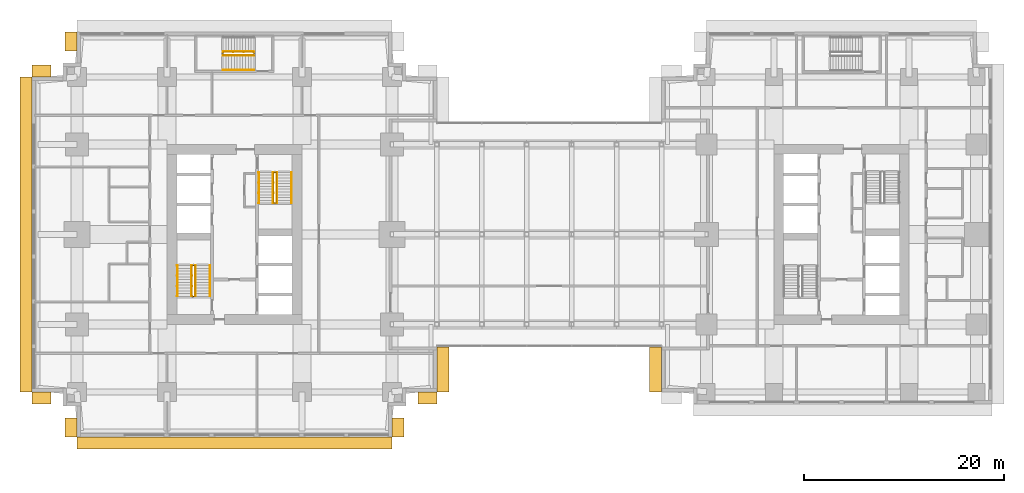
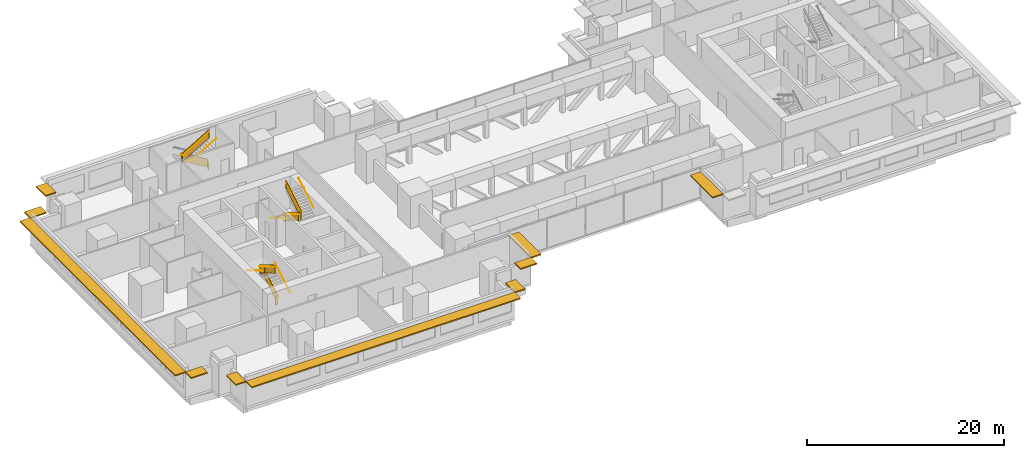
# One storey, part 13 of 15: 14 railings, 10 shading devices.
"""IFC4 building model written with IfcOpenShell, lengths in metres."""

from ifc_helpers import new_model, si_unit, direction, frame, origin, origin_2d, place, context, subcontext, project, spatial, polyline, rectangle, circle, outline, extrude, material, layer, layer_set, type_object, element, save


model = new_model("IFC4")

# Units and contexts
model_context = context("Model", 3, precision=1e-05, world=origin(), true_north=direction((0.0, 1.0)))
body_context = subcontext(model_context, "Body", "Model", "MODEL_VIEW")
ifc_project = project(units=[si_unit("LENGTHUNIT", "METRE"), si_unit("AREAUNIT", "SQUARE_METRE"), si_unit("VOLUMEUNIT", "CUBIC_METRE"), si_unit("PLANEANGLEUNIT", "RADIAN"), si_unit("MASSUNIT", "GRAM", prefix="KILO")], contexts=[model_context])

# Site, building, storey
site_placement = place(None, origin())
site = spatial("IfcSite", under=ifc_project, at=site_placement, CompositionType="ELEMENT")
building_placement = place(site_placement, origin())
building = spatial("IfcBuilding", under=site, at=building_placement, Name="Namib Vertical Campus", CompositionType="ELEMENT")
storey_placement = place(building_placement, frame((0.0, 0.0, 105.0)))
storey = spatial("IfcBuildingStorey", under=building, at=storey_placement, Name="L24", CompositionType="ELEMENT", Elevation=105.0)

# Railings
ifc_material_1 = material(Name="Steel handrail", Category="steel")
railing_type_1 = type_object("IfcRailingType", Name="Handrail 900", PredefinedType="HANDRAIL", material=ifc_material_1)
railing_1_placement = place(storey_placement, frame((17.800048828125, 14.050048828125, 0.166748046875)))
element("IfcRailing", 1, at=railing_1_placement, inside=storey, type_object=railing_type_1, Name="Handrail HR1 A-S1 L24 1", PredefinedType="HANDRAIL", context=body_context, shape_type="SweptSolid", body=[
    extrude(circle(Radius=0.02392578125, at=origin_2d()), frame((0.0, 0.0, 0.8759765625), z_axis=(0.0, 0.859290745958, 0.51148745235), x_axis=(-1.0, 0.0, 0.0)), (0.0, 0.0, 1.0), 3.584228515625),
    extrude(circle(Radius=0.008056640625, at=origin_2d()), frame((0.0, 0.0, 0.8759765625), z_axis=(1.0, 0.0, 0.0), x_axis=(0.0, 0.0, 1.0)), (0.0, 0.0, 1.0), 0.050048828125),
    extrude(circle(Radius=0.008056640625, at=origin_2d()), frame((0.0, 1.026611328125, 1.48681640625), z_axis=(1.0, 0.0, 0.0), x_axis=(0.0, 0.0, 1.0)), (0.0, 0.0, 1.0), 0.050048828125),
    extrude(circle(Radius=0.008056640625, at=origin_2d()), frame((0.0, 2.05322265625, 2.09814453125), z_axis=(1.0, 0.0, 0.0), x_axis=(0.0, 0.0, 1.0)), (0.0, 0.0, 1.0), 0.050048828125),
    extrude(circle(Radius=0.008056640625, at=origin_2d()), frame((0.0, 3.079833984375, 2.708984375), z_axis=(1.0, 0.0, 0.0), x_axis=(0.0, 0.0, 1.0)), (0.0, 0.0, 1.0), 0.050048828125),
])
railing_2_placement = place(storey_placement, frame((14.550048828125, 17.1298828125, 2.166748046875)))
element("IfcRailing", 2, at=railing_2_placement, inside=storey, type_object=railing_type_1, Name="Handrail HR1 A-S1 L24 2", PredefinedType="HANDRAIL", context=body_context, shape_type="SweptSolid", body=[
    extrude(circle(Radius=0.02392578125, at=origin_2d()), frame((0.0, 0.0, 0.8759765625), z_axis=(0.0, -0.859290745958, 0.51148745235), x_axis=(1.0, 0.0, 0.0)), (0.0, 0.0, 1.0), 3.584228515625),
    extrude(circle(Radius=0.008056640625, at=origin_2d()), frame((0.0, 0.0, 0.8759765625), z_axis=(-1.0, 0.0, 0.0), x_axis=(0.0, 0.0, 1.0)), (0.0, 0.0, 1.0), 0.050048828125),
    extrude(circle(Radius=0.008056640625, at=origin_2d()), frame((0.0, -1.026611328125, 1.48681640625), z_axis=(-1.0, 0.0, 0.0), x_axis=(0.0, 0.0, 1.0)), (0.0, 0.0, 1.0), 0.050048828125),
    extrude(circle(Radius=0.008056640625, at=origin_2d()), frame((0.0, -2.05322265625, 2.09814453125), z_axis=(-1.0, 0.0, 0.0), x_axis=(0.0, 0.0, 1.0)), (0.0, 0.0, 1.0), 0.050048828125),
    extrude(circle(Radius=0.008056640625, at=origin_2d()), frame((0.0, -3.079833984375, 2.708984375), z_axis=(-1.0, 0.0, 0.0), x_axis=(0.0, 0.0, 1.0)), (0.0, 0.0, 1.0), 0.050048828125),
])
railing_3_placement = place(storey_placement, frame((16.375, 14.050048828125, 0.166748046875)))
element("IfcRailing", 3, at=railing_3_placement, inside=storey, type_object=railing_type_1, Name="Handrail HR1 A-S1 L24 1 at the well", PredefinedType="HANDRAIL", context=body_context, shape_type="SweptSolid", body=[
    extrude(circle(Radius=0.02392578125, at=origin_2d()), frame((0.0, 0.0, 0.8759765625), z_axis=(0.0, 0.859290745958, 0.51148745235), x_axis=(-1.0, 0.0, 0.0)), (0.0, 0.0, 1.0), 3.584228515625),
    extrude(circle(Radius=0.008056640625, at=origin_2d()), frame((0.0, 0.0, 0.8759765625), z_axis=(-1.0, 0.0, 0.0), x_axis=(0.0, 0.0, 1.0)), (0.0, 0.0, 1.0), 0.0400390625),
    extrude(circle(Radius=0.008056640625, at=origin_2d()), frame((0.0, 1.026611328125, 1.48681640625), z_axis=(-1.0, 0.0, 0.0), x_axis=(0.0, 0.0, 1.0)), (0.0, 0.0, 1.0), 0.0400390625),
    extrude(circle(Radius=0.008056640625, at=origin_2d()), frame((0.0, 2.05322265625, 2.09814453125), z_axis=(-1.0, 0.0, 0.0), x_axis=(0.0, 0.0, 1.0)), (0.0, 0.0, 1.0), 0.0400390625),
    extrude(circle(Radius=0.008056640625, at=origin_2d()), frame((0.0, 3.079833984375, 2.708984375), z_axis=(-1.0, 0.0, 0.0), x_axis=(0.0, 0.0, 1.0)), (0.0, 0.0, 1.0), 0.0400390625),
])
railing_4_placement = place(storey_placement, frame((15.97509765625, 17.1298828125, 2.166748046875)))
element("IfcRailing", 4, at=railing_4_placement, inside=storey, type_object=railing_type_1, Name="Handrail HR1 A-S1 L24 2 at the well", PredefinedType="HANDRAIL", context=body_context, shape_type="SweptSolid", body=[
    extrude(circle(Radius=0.02392578125, at=origin_2d()), frame((0.0, 0.0, 0.8759765625), z_axis=(0.0, -0.859290745958, 0.51148745235), x_axis=(1.0, 0.0, 0.0)), (0.0, 0.0, 1.0), 3.584228515625),
    extrude(circle(Radius=0.008056640625, at=origin_2d()), frame((0.0, 0.0, 0.8759765625), z_axis=(1.0, 0.0, 0.0), x_axis=(0.0, 0.0, 1.0)), (0.0, 0.0, 1.0), 0.0400390625),
    extrude(circle(Radius=0.008056640625, at=origin_2d()), frame((0.0, -1.026611328125, 1.48681640625), z_axis=(1.0, 0.0, 0.0), x_axis=(0.0, 0.0, 1.0)), (0.0, 0.0, 1.0), 0.0400390625),
    extrude(circle(Radius=0.008056640625, at=origin_2d()), frame((0.0, -2.05322265625, 2.09814453125), z_axis=(1.0, 0.0, 0.0), x_axis=(0.0, 0.0, 1.0)), (0.0, 0.0, 1.0), 0.0400390625),
    extrude(circle(Radius=0.008056640625, at=origin_2d()), frame((0.0, -3.079833984375, 2.708984375), z_axis=(1.0, 0.0, 0.0), x_axis=(0.0, 0.0, 1.0)), (0.0, 0.0, 1.0), 0.0400390625),
])
railing_5_placement = place(storey_placement, frame((22.699951171875, 26.449951171875, 0.166748046875)))
element("IfcRailing", 5, at=railing_5_placement, inside=storey, type_object=railing_type_1, Name="Handrail HR1 A-S2 L24 1", PredefinedType="HANDRAIL", context=body_context, shape_type="SweptSolid", body=[
    extrude(circle(Radius=0.02392578125, at=origin_2d()), frame((0.0, 0.0, 0.8759765625), z_axis=(0.0, -0.859290745958, 0.51148745235), x_axis=(1.0, 0.0, 0.0)), (0.0, 0.0, 1.0), 3.584228515625),
    extrude(circle(Radius=0.008056640625, at=origin_2d()), frame((0.0, 0.0, 0.8759765625), z_axis=(-1.0, 0.0, 0.0), x_axis=(0.0, 0.0, 1.0)), (0.0, 0.0, 1.0), 0.050048828125),
    extrude(circle(Radius=0.008056640625, at=origin_2d()), frame((0.0, -1.026611328125, 1.48681640625), z_axis=(-1.0, 0.0, 0.0), x_axis=(0.0, 0.0, 1.0)), (0.0, 0.0, 1.0), 0.050048828125),
    extrude(circle(Radius=0.008056640625, at=origin_2d()), frame((0.0, -2.05322265625, 2.09814453125), z_axis=(-1.0, 0.0, 0.0), x_axis=(0.0, 0.0, 1.0)), (0.0, 0.0, 1.0), 0.050048828125),
    extrude(circle(Radius=0.008056640625, at=origin_2d()), frame((0.0, -3.079833984375, 2.708984375), z_axis=(-1.0, 0.0, 0.0), x_axis=(0.0, 0.0, 1.0)), (0.0, 0.0, 1.0), 0.050048828125),
])
railing_6_placement = place(storey_placement, frame((25.949951171875, 23.3701171875, 2.166748046875)))
element("IfcRailing", 6, at=railing_6_placement, inside=storey, type_object=railing_type_1, Name="Handrail HR1 A-S2 L24 2", PredefinedType="HANDRAIL", context=body_context, shape_type="SweptSolid", body=[
    extrude(circle(Radius=0.02392578125, at=origin_2d()), frame((0.0, 0.0, 0.8759765625), z_axis=(0.0, 0.859290745958, 0.51148745235), x_axis=(-1.0, 0.0, 0.0)), (0.0, 0.0, 1.0), 3.584228515625),
    extrude(circle(Radius=0.008056640625, at=origin_2d()), frame((0.0, 0.0, 0.8759765625), z_axis=(1.0, 0.0, 0.0), x_axis=(0.0, 0.0, 1.0)), (0.0, 0.0, 1.0), 0.050048828125),
    extrude(circle(Radius=0.008056640625, at=origin_2d()), frame((0.0, 1.026611328125, 1.48681640625), z_axis=(1.0, 0.0, 0.0), x_axis=(0.0, 0.0, 1.0)), (0.0, 0.0, 1.0), 0.050048828125),
    extrude(circle(Radius=0.008056640625, at=origin_2d()), frame((0.0, 2.05322265625, 2.09814453125), z_axis=(1.0, 0.0, 0.0), x_axis=(0.0, 0.0, 1.0)), (0.0, 0.0, 1.0), 0.050048828125),
    extrude(circle(Radius=0.008056640625, at=origin_2d()), frame((0.0, 3.079833984375, 2.708984375), z_axis=(1.0, 0.0, 0.0), x_axis=(0.0, 0.0, 1.0)), (0.0, 0.0, 1.0), 0.050048828125),
])
railing_7_placement = place(storey_placement, frame((24.125, 26.449951171875, 0.166748046875)))
element("IfcRailing", 7, at=railing_7_placement, inside=storey, type_object=railing_type_1, Name="Handrail HR1 A-S2 L24 1 at the well", PredefinedType="HANDRAIL", context=body_context, shape_type="SweptSolid", body=[
    extrude(circle(Radius=0.02392578125, at=origin_2d()), frame((0.0, 0.0, 0.8759765625), z_axis=(0.0, -0.859290745958, 0.51148745235), x_axis=(1.0, 0.0, 0.0)), (0.0, 0.0, 1.0), 3.584228515625),
    extrude(circle(Radius=0.008056640625, at=origin_2d()), frame((0.0, 0.0, 0.8759765625), z_axis=(1.0, 0.0, 0.0), x_axis=(0.0, 0.0, 1.0)), (0.0, 0.0, 1.0), 0.0400390625),
    extrude(circle(Radius=0.008056640625, at=origin_2d()), frame((0.0, -1.026611328125, 1.48681640625), z_axis=(1.0, 0.0, 0.0), x_axis=(0.0, 0.0, 1.0)), (0.0, 0.0, 1.0), 0.0400390625),
    extrude(circle(Radius=0.008056640625, at=origin_2d()), frame((0.0, -2.05322265625, 2.09814453125), z_axis=(1.0, 0.0, 0.0), x_axis=(0.0, 0.0, 1.0)), (0.0, 0.0, 1.0), 0.0400390625),
    extrude(circle(Radius=0.008056640625, at=origin_2d()), frame((0.0, -3.079833984375, 2.708984375), z_axis=(1.0, 0.0, 0.0), x_axis=(0.0, 0.0, 1.0)), (0.0, 0.0, 1.0), 0.0400390625),
])
railing_8_placement = place(storey_placement, frame((24.52490234375, 23.3701171875, 2.166748046875)))
element("IfcRailing", 8, at=railing_8_placement, inside=storey, type_object=railing_type_1, Name="Handrail HR1 A-S2 L24 2 at the well", PredefinedType="HANDRAIL", context=body_context, shape_type="SweptSolid", body=[
    extrude(circle(Radius=0.02392578125, at=origin_2d()), frame((0.0, 0.0, 0.8759765625), z_axis=(0.0, 0.859290745958, 0.51148745235), x_axis=(-1.0, 0.0, 0.0)), (0.0, 0.0, 1.0), 3.584228515625),
    extrude(circle(Radius=0.008056640625, at=origin_2d()), frame((0.0, 0.0, 0.8759765625), z_axis=(-1.0, 0.0, 0.0), x_axis=(0.0, 0.0, 1.0)), (0.0, 0.0, 1.0), 0.0400390625),
    extrude(circle(Radius=0.008056640625, at=origin_2d()), frame((0.0, 1.026611328125, 1.48681640625), z_axis=(-1.0, 0.0, 0.0), x_axis=(0.0, 0.0, 1.0)), (0.0, 0.0, 1.0), 0.0400390625),
    extrude(circle(Radius=0.008056640625, at=origin_2d()), frame((0.0, 2.05322265625, 2.09814453125), z_axis=(-1.0, 0.0, 0.0), x_axis=(0.0, 0.0, 1.0)), (0.0, 0.0, 1.0), 0.0400390625),
    extrude(circle(Radius=0.008056640625, at=origin_2d()), frame((0.0, 3.079833984375, 2.708984375), z_axis=(-1.0, 0.0, 0.0), x_axis=(0.0, 0.0, 1.0)), (0.0, 0.0, 1.0), 0.0400390625),
])
railing_9_placement = place(storey_placement, frame((19.1201171875, 36.699951171875, 2.166748046875)))
element("IfcRailing", 9, at=railing_9_placement, inside=storey, type_object=railing_type_1, Name="Handrail HR1 A-S3 L24 2", PredefinedType="HANDRAIL", context=body_context, shape_type="SweptSolid", body=[
    extrude(circle(Radius=0.02392578125, at=origin_2d()), frame((0.0, 0.0, 0.8759765625), z_axis=(0.859290745958, 0.0, 0.51148745235), x_axis=(0.0, 1.0, 0.0)), (0.0, 0.0, 1.0), 3.584228515625),
    extrude(circle(Radius=0.008056640625, at=origin_2d()), frame((0.0, 0.0, 0.8759765625), z_axis=(0.0, -1.0, 0.0), x_axis=(0.0, 0.0, 1.0)), (0.0, 0.0, 1.0), 0.050048828125),
    extrude(circle(Radius=0.008056640625, at=origin_2d()), frame((1.026611328125, 0.0, 1.48681640625), z_axis=(0.0, -1.0, 0.0), x_axis=(0.0, 0.0, 1.0)), (0.0, 0.0, 1.0), 0.050048828125),
    extrude(circle(Radius=0.008056640625, at=origin_2d()), frame((2.05322265625, 0.0, 2.09814453125), z_axis=(0.0, -1.0, 0.0), x_axis=(0.0, 0.0, 1.0)), (0.0, 0.0, 1.0), 0.050048828125),
    extrude(circle(Radius=0.008056640625, at=origin_2d()), frame((3.079833984375, 0.0, 2.708984375), z_axis=(0.0, -1.0, 0.0), x_axis=(0.0, 0.0, 1.0)), (0.0, 0.0, 1.0), 0.050048828125),
])
railing_10_placement = place(storey_placement, frame((22.199951171875, 38.52490234375, 0.166748046875)))
element("IfcRailing", 10, at=railing_10_placement, inside=storey, type_object=railing_type_1, Name="Handrail HR1 A-S3 L24 1 at the well", PredefinedType="HANDRAIL", context=body_context, shape_type="SweptSolid", body=[
    extrude(circle(Radius=0.02392578125, at=origin_2d()), frame((0.0, 0.0, 0.8759765625), z_axis=(-0.859290745958, 0.0, 0.51148745235), x_axis=(0.0, -1.0, 0.0)), (0.0, 0.0, 1.0), 3.584228515625),
    extrude(circle(Radius=0.008056640625, at=origin_2d()), frame((0.0, 0.0, 0.8759765625), z_axis=(0.0, -1.0, 0.0), x_axis=(0.0, 0.0, 1.0)), (0.0, 0.0, 1.0), 0.0400390625),
    extrude(circle(Radius=0.008056640625, at=origin_2d()), frame((-1.026611328125, 0.0, 1.48681640625), z_axis=(0.0, -1.0, 0.0), x_axis=(0.0, 0.0, 1.0)), (0.0, 0.0, 1.0), 0.0400390625),
    extrude(circle(Radius=0.008056640625, at=origin_2d()), frame((-2.05322265625, 0.0, 2.09814453125), z_axis=(0.0, -1.0, 0.0), x_axis=(0.0, 0.0, 1.0)), (0.0, 0.0, 1.0), 0.0400390625),
    extrude(circle(Radius=0.008056640625, at=origin_2d()), frame((-3.079833984375, 0.0, 2.708984375), z_axis=(0.0, -1.0, 0.0), x_axis=(0.0, 0.0, 1.0)), (0.0, 0.0, 1.0), 0.0400390625),
])
railing_11_placement = place(storey_placement, frame((19.1201171875, 38.125, 2.166748046875)))
element("IfcRailing", 11, at=railing_11_placement, inside=storey, type_object=railing_type_1, Name="Handrail HR1 A-S3 L24 2 at the well", PredefinedType="HANDRAIL", context=body_context, shape_type="SweptSolid", body=[
    extrude(circle(Radius=0.02392578125, at=origin_2d()), frame((0.0, 0.0, 0.8759765625), z_axis=(0.859290745958, 0.0, 0.51148745235), x_axis=(0.0, 1.0, 0.0)), (0.0, 0.0, 1.0), 3.584228515625),
    extrude(circle(Radius=0.008056640625, at=origin_2d()), frame((0.0, 0.0, 0.8759765625), z_axis=(0.0, 1.0, 0.0), x_axis=(0.0, 0.0, 1.0)), (0.0, 0.0, 1.0), 0.0400390625),
    extrude(circle(Radius=0.008056640625, at=origin_2d()), frame((1.026611328125, 0.0, 1.48681640625), z_axis=(0.0, 1.0, 0.0), x_axis=(0.0, 0.0, 1.0)), (0.0, 0.0, 1.0), 0.0400390625),
    extrude(circle(Radius=0.008056640625, at=origin_2d()), frame((2.05322265625, 0.0, 2.09814453125), z_axis=(0.0, 1.0, 0.0), x_axis=(0.0, 0.0, 1.0)), (0.0, 0.0, 1.0), 0.0400390625),
    extrude(circle(Radius=0.008056640625, at=origin_2d()), frame((3.079833984375, 0.0, 2.708984375), z_axis=(0.0, 1.0, 0.0), x_axis=(0.0, 0.0, 1.0)), (0.0, 0.0, 1.0), 0.0400390625),
])
ifc_material_2 = material(Name="Steel balustrade", Category="steel")
railing_type_2 = type_object("IfcRailingType", Name="Stair guard 1100", PredefinedType="GUARDRAIL", material=ifc_material_2)
railing_12_placement = place(storey_placement, frame((16.02490234375, 14.050048828125, 0.0)))
element("IfcRailing", 12, at=railing_12_placement, inside=storey, type_object=railing_type_2, Name="Stair guard GR1 A-S1 L24", PredefinedType="GUARDRAIL", context=body_context, shape_type="SweptSolid", body=[
    extrude(circle(Radius=0.02392578125, at=origin_2d()), frame((0.0, 0.0, 1.076171875), z_axis=(1.0, 0.0, 0.0), x_axis=(0.0, 1.0, 0.0)), (0.0, 0.0, 1.0), 0.300048828125),
    extrude(outline(polyline([(0.02099609375, 0.050048828125), (0.279052734375, 0.050048828125), (0.279052734375, 1.052001953125), (0.02099609375, 1.052001953125), (0.02099609375, 0.050048828125)])), frame((0.0, 0.010009765625, 0.0), z_axis=(0.0, -1.0, 0.0), x_axis=(1.0, 0.0, 0.0)), (0.0, 0.0, 1.0), 0.02001953125),
    extrude(circle(Radius=0.02392578125, at=origin_2d()), frame((0.300048828125, 0.0, 1.076171875), z_axis=(0.0, 0.0, 1.0), x_axis=(1.0, 0.0, 0.0)), (0.0, 0.0, 1.0), 0.166748046875),
    extrude(circle(Radius=0.02392578125, at=origin_2d()), frame((0.300048828125, 0.0, 1.24267578125), z_axis=(0.0, 0.859290745958, 0.51148745235), x_axis=(-1.0, 0.0, 0.0)), (0.0, 0.0, 1.0), 3.584228515625),
    extrude(outline(polyline([(0.02099609375, 0.0625), (3.058837890625, 1.870849609375), (3.058837890625, 2.872802734375), (0.02099609375, 1.064453125), (0.02099609375, 0.0625)])), frame((0.2900390625, 0.0, 0.166748046875), z_axis=(1.0, 0.0, 0.0), x_axis=(0.0, 1.0, 0.0)), (0.0, 0.0, 1.0), 0.02001953125),
    extrude(circle(Radius=0.02392578125, at=origin_2d()), frame((0.300048828125, 3.079833984375, 3.076171875), z_axis=(-1.0, 0.0, 0.0), x_axis=(0.0, -1.0, 0.0)), (0.0, 0.0, 1.0), 0.300048828125),
    extrude(outline(polyline([(0.02099609375, 0.050048828125), (0.279052734375, 0.050048828125), (0.279052734375, 1.052001953125), (0.02099609375, 1.052001953125), (0.02099609375, 0.050048828125)])), frame((0.300048828125, 3.06982421875, 2.0), z_axis=(0.0, 1.0, 0.0), x_axis=(-1.0, 0.0, 0.0)), (0.0, 0.0, 1.0), 0.02001953125),
    extrude(circle(Radius=0.02392578125, at=origin_2d()), frame((0.0, 3.079833984375, 3.076171875), z_axis=(0.0, 0.0, 1.0), x_axis=(1.0, 0.0, 0.0)), (0.0, 0.0, 1.0), 0.166748046875),
    extrude(circle(Radius=0.02392578125, at=origin_2d()), frame((0.0, 3.079833984375, 3.24267578125), z_axis=(0.0, -0.859290745958, 0.51148745235), x_axis=(1.0, 0.0, 0.0)), (0.0, 0.0, 1.0), 3.584228515625),
    extrude(outline(polyline([(0.02099609375, 0.0625), (3.058837890625, 1.870849609375), (3.058837890625, 2.872802734375), (0.02099609375, 1.064453125), (0.02099609375, 0.0625)])), frame((0.010009765625, 3.079833984375, 2.166748046875), z_axis=(-1.0, 0.0, 0.0), x_axis=(0.0, -1.0, 0.0)), (0.0, 0.0, 1.0), 0.02001953125),
    extrude(circle(Radius=0.02392578125, at=origin_2d()), frame((0.0, 0.0, 5.076171875), z_axis=(0.0, -1.0, 0.0), x_axis=(1.0, 0.0, 0.0)), (0.0, 0.0, 1.0), 0.050048828125),
    extrude(outline(polyline([(0.02099609375, 0.050048828125), (0.029052734375, 0.050048828125), (0.029052734375, 1.052001953125), (0.02099609375, 1.052001953125), (0.02099609375, 0.050048828125)])), frame((0.010009765625, 0.0, 4.0), z_axis=(-1.0, 0.0, 0.0), x_axis=(0.0, -1.0, 0.0)), (0.0, 0.0, 1.0), 0.02001953125),
    extrude(circle(Radius=0.02099609375, at=origin_2d()), origin(), (0.0, 0.0, 1.0), 1.052001953125),
    extrude(circle(Radius=0.02099609375, at=origin_2d()), frame((0.300048828125, 0.0, 0.166748046875)), (0.0, 0.0, 1.0), 1.052001953125),
    extrude(circle(Radius=0.02099609375, at=origin_2d()), frame((0.300048828125, 1.026611328125, 0.666748046875)), (0.0, 0.0, 1.0), 1.1630859375),
    extrude(circle(Radius=0.02099609375, at=origin_2d()), frame((0.300048828125, 2.05322265625, 1.33349609375)), (0.0, 0.0, 1.0), 1.107421875),
    extrude(circle(Radius=0.02099609375, at=origin_2d()), frame((0.300048828125, 3.079833984375, 2.0)), (0.0, 0.0, 1.0), 1.052001953125),
    extrude(circle(Radius=0.02099609375, at=origin_2d()), frame((0.0, 3.079833984375, 2.166748046875)), (0.0, 0.0, 1.0), 1.052001953125),
    extrude(circle(Radius=0.02099609375, at=origin_2d()), frame((0.0, 2.05322265625, 2.666748046875)), (0.0, 0.0, 1.0), 1.1630859375),
    extrude(circle(Radius=0.02099609375, at=origin_2d()), frame((0.0, 1.026611328125, 3.33349609375)), (0.0, 0.0, 1.0), 1.107421875),
    extrude(circle(Radius=0.02099609375, at=origin_2d()), frame((0.0, 0.0, 4.0)), (0.0, 0.0, 1.0), 1.052001953125),
    extrude(circle(Radius=0.02099609375, at=origin_2d()), frame((0.0, -0.050048828125, 4.0)), (0.0, 0.0, 1.0), 1.052001953125),
])
railing_13_placement = place(storey_placement, frame((24.47509765625, 26.449951171875, 0.0)))
element("IfcRailing", 13, at=railing_13_placement, inside=storey, type_object=railing_type_2, Name="Stair guard GR1 A-S2 L24", PredefinedType="GUARDRAIL", context=body_context, shape_type="SweptSolid", body=[
    extrude(circle(Radius=0.02392578125, at=origin_2d()), frame((0.0, 0.0, 1.076171875), z_axis=(-1.0, 0.0, 0.0), x_axis=(0.0, -1.0, 0.0)), (0.0, 0.0, 1.0), 0.300048828125),
    extrude(outline(polyline([(0.02099609375, 0.050048828125), (0.279052734375, 0.050048828125), (0.279052734375, 1.052001953125), (0.02099609375, 1.052001953125), (0.02099609375, 0.050048828125)])), frame((0.0, -0.010009765625, 0.0), z_axis=(0.0, 1.0, 0.0), x_axis=(-1.0, 0.0, 0.0)), (0.0, 0.0, 1.0), 0.02001953125),
    extrude(circle(Radius=0.02392578125, at=origin_2d()), frame((-0.300048828125, 0.0, 1.076171875), z_axis=(0.0, 0.0, 1.0), x_axis=(1.0, 0.0, 0.0)), (0.0, 0.0, 1.0), 0.166748046875),
    extrude(circle(Radius=0.02392578125, at=origin_2d()), frame((-0.300048828125, 0.0, 1.24267578125), z_axis=(0.0, -0.859290745958, 0.51148745235), x_axis=(1.0, 0.0, 0.0)), (0.0, 0.0, 1.0), 3.584228515625),
    extrude(outline(polyline([(0.02099609375, 0.0625), (3.058837890625, 1.870849609375), (3.058837890625, 2.872802734375), (0.02099609375, 1.064453125), (0.02099609375, 0.0625)])), frame((-0.2900390625, 0.0, 0.166748046875), z_axis=(-1.0, 0.0, 0.0), x_axis=(0.0, -1.0, 0.0)), (0.0, 0.0, 1.0), 0.02001953125),
    extrude(circle(Radius=0.02392578125, at=origin_2d()), frame((-0.300048828125, -3.079833984375, 3.076171875), z_axis=(1.0, 0.0, 0.0), x_axis=(0.0, 1.0, 0.0)), (0.0, 0.0, 1.0), 0.300048828125),
    extrude(outline(polyline([(0.02099609375, 0.050048828125), (0.279052734375, 0.050048828125), (0.279052734375, 1.052001953125), (0.02099609375, 1.052001953125), (0.02099609375, 0.050048828125)])), frame((-0.300048828125, -3.06982421875, 2.0), z_axis=(0.0, -1.0, 0.0), x_axis=(1.0, 0.0, 0.0)), (0.0, 0.0, 1.0), 0.02001953125),
    extrude(circle(Radius=0.02392578125, at=origin_2d()), frame((0.0, -3.079833984375, 3.076171875), z_axis=(0.0, 0.0, 1.0), x_axis=(1.0, 0.0, 0.0)), (0.0, 0.0, 1.0), 0.166748046875),
    extrude(circle(Radius=0.02392578125, at=origin_2d()), frame((0.0, -3.079833984375, 3.24267578125), z_axis=(0.0, 0.859290745958, 0.51148745235), x_axis=(-1.0, 0.0, 0.0)), (0.0, 0.0, 1.0), 3.584228515625),
    extrude(outline(polyline([(0.02099609375, 0.0625), (3.058837890625, 1.870849609375), (3.058837890625, 2.872802734375), (0.02099609375, 1.064453125), (0.02099609375, 0.0625)])), frame((-0.010009765625, -3.079833984375, 2.166748046875), z_axis=(1.0, 0.0, 0.0), x_axis=(0.0, 1.0, 0.0)), (0.0, 0.0, 1.0), 0.02001953125),
    extrude(circle(Radius=0.02392578125, at=origin_2d()), frame((0.0, 0.0, 5.076171875), z_axis=(0.0, 1.0, 0.0), x_axis=(-1.0, 0.0, 0.0)), (0.0, 0.0, 1.0), 0.050048828125),
    extrude(outline(polyline([(0.02099609375, 0.050048828125), (0.029052734375, 0.050048828125), (0.029052734375, 1.052001953125), (0.02099609375, 1.052001953125), (0.02099609375, 0.050048828125)])), frame((-0.010009765625, 0.0, 4.0), z_axis=(1.0, 0.0, 0.0), x_axis=(0.0, 1.0, 0.0)), (0.0, 0.0, 1.0), 0.02001953125),
    extrude(circle(Radius=0.02099609375, at=origin_2d()), origin(), (0.0, 0.0, 1.0), 1.052001953125),
    extrude(circle(Radius=0.02099609375, at=origin_2d()), frame((-0.300048828125, 0.0, 0.166748046875)), (0.0, 0.0, 1.0), 1.052001953125),
    extrude(circle(Radius=0.02099609375, at=origin_2d()), frame((-0.300048828125, -1.026611328125, 0.666748046875)), (0.0, 0.0, 1.0), 1.1630859375),
    extrude(circle(Radius=0.02099609375, at=origin_2d()), frame((-0.300048828125, -2.05322265625, 1.33349609375)), (0.0, 0.0, 1.0), 1.107421875),
    extrude(circle(Radius=0.02099609375, at=origin_2d()), frame((-0.300048828125, -3.079833984375, 2.0)), (0.0, 0.0, 1.0), 1.052001953125),
    extrude(circle(Radius=0.02099609375, at=origin_2d()), frame((0.0, -3.079833984375, 2.166748046875)), (0.0, 0.0, 1.0), 1.052001953125),
    extrude(circle(Radius=0.02099609375, at=origin_2d()), frame((0.0, -2.05322265625, 2.666748046875)), (0.0, 0.0, 1.0), 1.1630859375),
    extrude(circle(Radius=0.02099609375, at=origin_2d()), frame((0.0, -1.026611328125, 3.33349609375)), (0.0, 0.0, 1.0), 1.107421875),
    extrude(circle(Radius=0.02099609375, at=origin_2d()), frame((0.0, 0.0, 4.0)), (0.0, 0.0, 1.0), 1.052001953125),
    extrude(circle(Radius=0.02099609375, at=origin_2d()), frame((0.0, 0.050048828125, 4.0)), (0.0, 0.0, 1.0), 1.052001953125),
])
railing_14_placement = place(storey_placement, frame((22.199951171875, 38.175048828125, 0.0)))
element("IfcRailing", 14, at=railing_14_placement, inside=storey, type_object=railing_type_2, Name="Stair guard GR1 A-S3 L24", PredefinedType="GUARDRAIL", context=body_context, shape_type="SweptSolid", body=[
    extrude(circle(Radius=0.02392578125, at=origin_2d()), frame((0.0, 0.0, 1.076171875), z_axis=(0.0, 1.0, 0.0), x_axis=(-1.0, 0.0, 0.0)), (0.0, 0.0, 1.0), 0.300048828125),
    extrude(outline(polyline([(0.02099609375, 0.050048828125), (0.279052734375, 0.050048828125), (0.279052734375, 1.052001953125), (0.02099609375, 1.052001953125), (0.02099609375, 0.050048828125)])), frame((-0.010009765625, 0.0, 0.0), z_axis=(1.0, 0.0, 0.0), x_axis=(0.0, 1.0, 0.0)), (0.0, 0.0, 1.0), 0.02001953125),
    extrude(circle(Radius=0.02392578125, at=origin_2d()), frame((0.0, 0.300048828125, 1.076171875), z_axis=(0.0, 0.0, 1.0), x_axis=(1.0, 0.0, 0.0)), (0.0, 0.0, 1.0), 0.166748046875),
    extrude(circle(Radius=0.02392578125, at=origin_2d()), frame((0.0, 0.300048828125, 1.24267578125), z_axis=(-0.859290745958, 0.0, 0.51148745235), x_axis=(0.0, -1.0, 0.0)), (0.0, 0.0, 1.0), 3.584228515625),
    extrude(outline(polyline([(0.02099609375, 0.0625), (3.058837890625, 1.870849609375), (3.058837890625, 2.872802734375), (0.02099609375, 1.064453125), (0.02099609375, 0.0625)])), frame((0.0, 0.2900390625, 0.166748046875), z_axis=(0.0, 1.0, 0.0), x_axis=(-1.0, 0.0, 0.0)), (0.0, 0.0, 1.0), 0.02001953125),
    extrude(circle(Radius=0.02392578125, at=origin_2d()), frame((-3.079833984375, 0.300048828125, 3.076171875), z_axis=(0.0, -1.0, 0.0), x_axis=(1.0, 0.0, 0.0)), (0.0, 0.0, 1.0), 0.300048828125),
    extrude(outline(polyline([(0.02099609375, 0.050048828125), (0.279052734375, 0.050048828125), (0.279052734375, 1.052001953125), (0.02099609375, 1.052001953125), (0.02099609375, 0.050048828125)])), frame((-3.06982421875, 0.300048828125, 2.0), z_axis=(-1.0, 0.0, 0.0), x_axis=(0.0, -1.0, 0.0)), (0.0, 0.0, 1.0), 0.02001953125),
    extrude(circle(Radius=0.02392578125, at=origin_2d()), frame((-3.079833984375, 0.0, 3.076171875), z_axis=(0.0, 0.0, 1.0), x_axis=(1.0, 0.0, 0.0)), (0.0, 0.0, 1.0), 0.166748046875),
    extrude(circle(Radius=0.02392578125, at=origin_2d()), frame((-3.079833984375, 0.0, 3.24267578125), z_axis=(0.859290745958, 0.0, 0.51148745235), x_axis=(0.0, 1.0, 0.0)), (0.0, 0.0, 1.0), 3.584228515625),
    extrude(outline(polyline([(0.02099609375, 0.0625), (3.058837890625, 1.870849609375), (3.058837890625, 2.872802734375), (0.02099609375, 1.064453125), (0.02099609375, 0.0625)])), frame((-3.079833984375, 0.010009765625, 2.166748046875), z_axis=(0.0, -1.0, 0.0), x_axis=(1.0, 0.0, 0.0)), (0.0, 0.0, 1.0), 0.02001953125),
    extrude(circle(Radius=0.02392578125, at=origin_2d()), frame((0.0, 0.0, 5.076171875), z_axis=(1.0, 0.0, 0.0), x_axis=(0.0, 1.0, 0.0)), (0.0, 0.0, 1.0), 0.050048828125),
    extrude(outline(polyline([(0.02099609375, 0.050048828125), (0.029052734375, 0.050048828125), (0.029052734375, 1.052001953125), (0.02099609375, 1.052001953125), (0.02099609375, 0.050048828125)])), frame((0.0, 0.010009765625, 4.0), z_axis=(0.0, -1.0, 0.0), x_axis=(1.0, 0.0, 0.0)), (0.0, 0.0, 1.0), 0.02001953125),
    extrude(circle(Radius=0.02099609375, at=origin_2d()), origin(), (0.0, 0.0, 1.0), 1.052001953125),
    extrude(circle(Radius=0.02099609375, at=origin_2d()), frame((0.0, 0.300048828125, 0.166748046875)), (0.0, 0.0, 1.0), 1.052001953125),
    extrude(circle(Radius=0.02099609375, at=origin_2d()), frame((-1.026611328125, 0.300048828125, 0.666748046875)), (0.0, 0.0, 1.0), 1.1630859375),
    extrude(circle(Radius=0.02099609375, at=origin_2d()), frame((-2.05322265625, 0.300048828125, 1.33349609375)), (0.0, 0.0, 1.0), 1.107421875),
    extrude(circle(Radius=0.02099609375, at=origin_2d()), frame((-3.079833984375, 0.300048828125, 2.0)), (0.0, 0.0, 1.0), 1.052001953125),
    extrude(circle(Radius=0.02099609375, at=origin_2d()), frame((-3.079833984375, 0.0, 2.166748046875)), (0.0, 0.0, 1.0), 1.052001953125),
    extrude(circle(Radius=0.02099609375, at=origin_2d()), frame((-2.05322265625, 0.0, 2.666748046875)), (0.0, 0.0, 1.0), 1.1630859375),
    extrude(circle(Radius=0.02099609375, at=origin_2d()), frame((-1.026611328125, 0.0, 3.33349609375)), (0.0, 0.0, 1.0), 1.107421875),
    extrude(circle(Radius=0.02099609375, at=origin_2d()), frame((0.0, 0.0, 4.0)), (0.0, 0.0, 1.0), 1.052001953125),
    extrude(circle(Radius=0.02099609375, at=origin_2d()), frame((0.050048828125, 0.0, 4.0)), (0.0, 0.0, 1.0), 1.052001953125),
])

# Shading devices
ifc_material_3 = material(Name="Concrete C40/50 precast", Category="concrete")
ifc_layer = layer(ifc_material_3, 0.14990234375)
ifc_layer_set = layer_set([ifc_layer], Name="Concrete C40/50 precast")
shading_device_type = type_object("IfcShadingDeviceType", Name="Sunshade hood 1200", PredefinedType="SHUTTER", material=ifc_layer_set)
shading_device_1_placement = place(storey_placement, frame((3.89990234375, 0.949951171875, 3.10009765625), z_axis=(0.0, 0.0, 1.0), x_axis=(0.0, -1.0, 0.0)))
element("IfcShadingDevice", 15, at=shading_device_1_placement, inside=storey, type_object=shading_device_type, Name="Sunshade SH2 L24 1", PredefinedType="SHUTTER", context=body_context, shape_type="SweptSolid", body=[
    extrude(rectangle(XDim=1.89990234375, YDim=1.199951171875, at=origin_2d()), origin(), (0.0, 0.0, 1.0), 0.14990234375),
])
shading_device_2_placement = place(storey_placement, frame((20.25, -0.60009765625, 3.10009765625), z_axis=(0.0, 0.0, 1.0), x_axis=(1.0, 0.0, 0.0)))
element("IfcShadingDevice", 16, at=shading_device_2_placement, inside=storey, type_object=shading_device_type, Name="Sunshade SH2 L24 2", PredefinedType="SHUTTER", context=body_context, shape_type="SweptSolid", body=[
    extrude(rectangle(XDim=31.5, YDim=1.199951171875, at=origin_2d()), origin(), (0.0, 0.0, 1.0), 0.14990234375),
])
for number, where, z_axis, x_axis, name in (
    (17, (36.60009765625, 0.949951171875, 3.10009765625), (0.0, 0.0, 1.0), (0.0, 1.0, 0.0), "Sunshade SH2 L24 3"),
    (18, (39.550048828125, 3.89990234375, 3.10009765625), (0.0, 0.0, 1.0), (1.0, 0.0, 0.0), "Sunshade SH2 L24 6"),
):
    element("IfcShadingDevice", number, at=place(storey_placement, frame(where, z_axis=z_axis, x_axis=x_axis)), inside=storey, type_object=shading_device_type, Name=name, PredefinedType="SHUTTER", context=body_context, shape_type="SweptSolid", body=[
        extrude(rectangle(XDim=1.89990234375, YDim=1.199951171875, at=origin_2d()), origin(), (0.0, 0.0, 1.0), 0.14990234375),
    ])
shading_device_3_placement = place(storey_placement, frame((41.10009765625, 6.75, 3.10009765625), z_axis=(0.0, 0.0, 1.0), x_axis=(0.0, 1.0, 0.0)))
element("IfcShadingDevice", 19, at=shading_device_3_placement, inside=storey, type_object=shading_device_type, Name="Sunshade SH2 L24 7", PredefinedType="SHUTTER", context=body_context, shape_type="SweptSolid", body=[
    extrude(rectangle(XDim=4.5, YDim=1.199951171875, at=origin_2d()), origin(), (0.0, 0.0, 1.0), 0.14990234375),
])
for number, where, z_axis, x_axis, name in (
    (20, (3.89990234375, 39.550048828125, 3.10009765625), (0.0, 0.0, 1.0), (0.0, -1.0, 0.0), "Sunshade SH2 L24 17"),
    (21, (0.949951171875, 36.60009765625, 3.10009765625), (0.0, 0.0, 1.0), (-1.0, 0.0, 0.0), "Sunshade SH2 L24 20"),
):
    element("IfcShadingDevice", number, at=place(storey_placement, frame(where, z_axis=z_axis, x_axis=x_axis)), inside=storey, type_object=shading_device_type, Name=name, PredefinedType="SHUTTER", context=body_context, shape_type="SweptSolid", body=[
        extrude(rectangle(XDim=1.89990234375, YDim=1.199951171875, at=origin_2d()), origin(), (0.0, 0.0, 1.0), 0.14990234375),
    ])
shading_device_4_placement = place(storey_placement, frame((-0.60009765625, 20.25, 3.10009765625), z_axis=(0.0, 0.0, 1.0), x_axis=(0.0, -1.0, 0.0)))
element("IfcShadingDevice", 22, at=shading_device_4_placement, inside=storey, type_object=shading_device_type, Name="Sunshade SH2 L24 21", PredefinedType="SHUTTER", context=body_context, shape_type="SweptSolid", body=[
    extrude(rectangle(XDim=31.5, YDim=1.199951171875, at=origin_2d()), origin(), (0.0, 0.0, 1.0), 0.14990234375),
])
shading_device_5_placement = place(storey_placement, frame((0.949951171875, 3.89990234375, 3.10009765625), z_axis=(0.0, 0.0, 1.0), x_axis=(1.0, 0.0, 0.0)))
element("IfcShadingDevice", 23, at=shading_device_5_placement, inside=storey, type_object=shading_device_type, Name="Sunshade SH2 L24 22", PredefinedType="SHUTTER", context=body_context, shape_type="SweptSolid", body=[
    extrude(rectangle(XDim=1.89990234375, YDim=1.199951171875, at=origin_2d()), origin(), (0.0, 0.0, 1.0), 0.14990234375),
])
shading_device_6_placement = place(storey_placement, frame((62.39990234375, 6.75, 3.10009765625), z_axis=(0.0, 0.0, 1.0), x_axis=(0.0, -1.0, 0.0)))
element("IfcShadingDevice", 24, at=shading_device_6_placement, inside=storey, type_object=shading_device_type, Name="Sunshade SH2 L24 1", PredefinedType="SHUTTER", context=body_context, shape_type="SweptSolid", body=[
    extrude(rectangle(XDim=4.5, YDim=1.199951171875, at=origin_2d()), origin(), (0.0, 0.0, 1.0), 0.14990234375),
])

save(model, "model.ifc")
